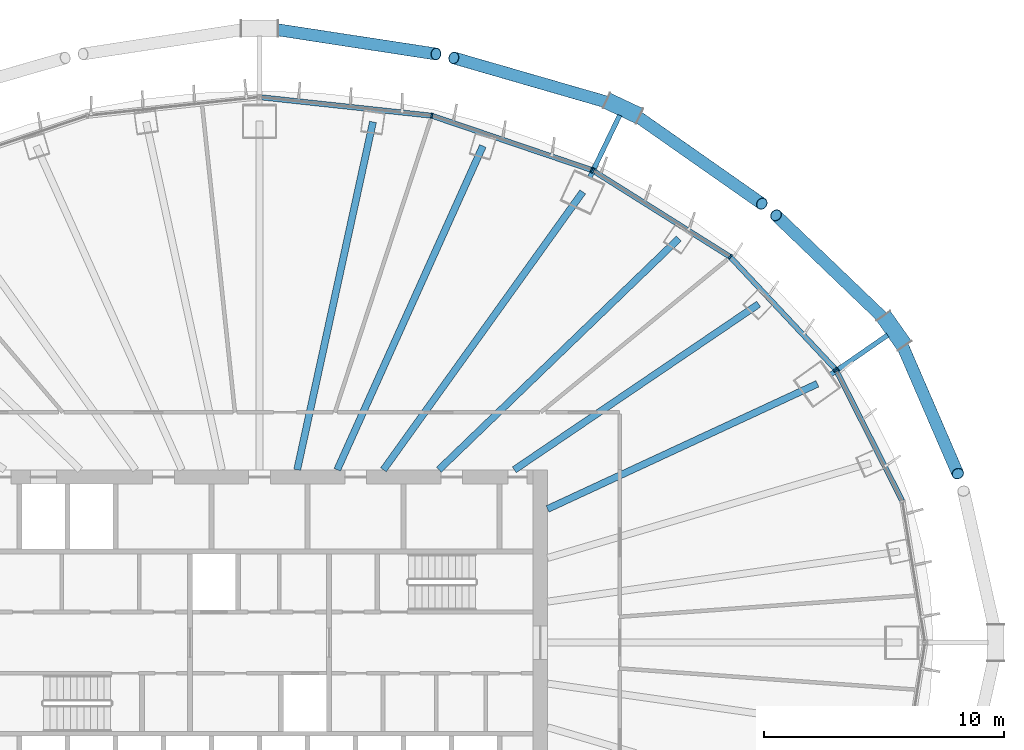
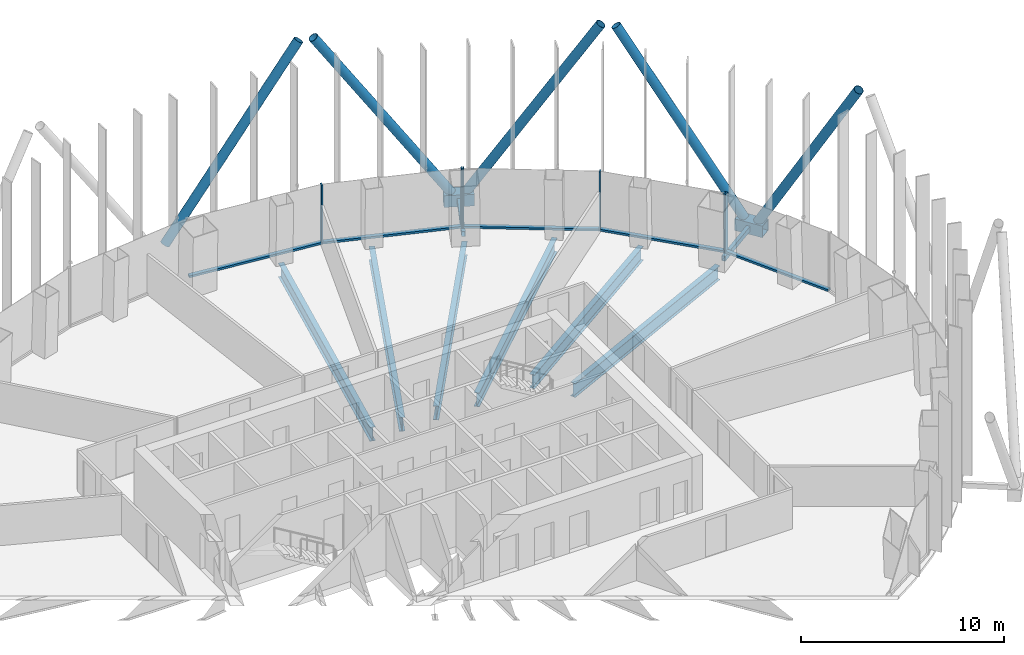
# One storey, part 6 of 22: 20 members, 6 beams, 3 elements without a shape of their own.
"""IFC4 building model written with IfcOpenShell, lengths in metres."""

from ifc_helpers import new_model, si_unit, direction, frame, origin, origin_2d, place, context, subcontext, project, spatial, rectangle, hollow_rectangle, hollow_circle, i_section, extrude, material, layer, layer_set, material_profile, profile_set, type_object, element, aggregate, save


model = new_model("IFC4")

# Units and contexts
model_context = context("Model", 3, precision=1e-05, world=origin(), true_north=direction((0.0, 1.0)))
body_context = subcontext(model_context, "Body", "Model", "MODEL_VIEW")
ifc_project = project(units=[si_unit("LENGTHUNIT", "METRE"), si_unit("AREAUNIT", "SQUARE_METRE"), si_unit("VOLUMEUNIT", "CUBIC_METRE"), si_unit("PLANEANGLEUNIT", "RADIAN"), si_unit("MASSUNIT", "GRAM", prefix="KILO")], contexts=[model_context])

# Site, building, storey
site_placement = place(None, origin())
site = spatial("IfcSite", under=ifc_project, at=site_placement, CompositionType="ELEMENT")
building_placement = place(site_placement, origin())
building = spatial("IfcBuilding", under=site, at=building_placement, Name="Siaravel Broadcast Tower", CompositionType="ELEMENT")
storey_placement = place(building_placement, frame((0.0, 0.0, 48.199951171875)))
storey = spatial("IfcBuildingStorey", under=building, at=storey_placement, Name="L10", CompositionType="ELEMENT", Elevation=48.199951171875)

# Beams
ifc_material_1 = material(Name="Steel S355", Category="steel")
ifc_material_profile_1 = material_profile(ifc_material_1, i_section(OverallWidth=0.291748046875, OverallDepth=0.8349609375, WebThickness=0.013916015625, FlangeThickness=0.018798828125, FilletRadius=0.017822265625, at=origin_2d()))
ifc_profile_set_1 = profile_set([ifc_material_profile_1], Name="Steel S355")
beam_type = type_object("IfcBeamType", Name="BM-UB 838x292x176", PredefinedType="BEAM", material=ifc_profile_set_1)
beam_1_placement = place(storey_placement, frame((23.240478515625, 10.7822265625, -0.5673828125), z_axis=(-0.907130681, -0.420849055, 0.0), x_axis=(0.420849055, -0.907130681, 0.0)))
element("IfcBeam", 1, at=beam_1_placement, inside=storey, type_object=beam_type, Name="Radial beam RB04", PredefinedType="BEAM", context=body_context, shape_type="SweptSolid", body=[
    extrude(i_section(OverallWidth=0.291748046875, OverallDepth=0.8349609375, WebThickness=0.013916015625, FlangeThickness=0.018798828125, FilletRadius=0.017822265625, at=origin_2d()), origin(), (0.0, 0.0, 1.0), 12.391357421875),
])
beam_2_placement = place(storey_placement, frame((20.7939453125, 14.103515625, -0.5673828125), z_axis=(-0.827598621, -0.561320338, 0.0), x_axis=(0.561320338, -0.827598621, 0.0)))
element("IfcBeam", 2, at=beam_2_placement, inside=storey, type_object=beam_type, Name="Radial beam RB05", PredefinedType="BEAM", context=body_context, shape_type="SweptSolid", body=[
    extrude(i_section(OverallWidth=0.291748046875, OverallDepth=0.8349609375, WebThickness=0.013916015625, FlangeThickness=0.018798828125, FilletRadius=0.017822265625, at=origin_2d()), origin(), (0.0, 0.0, 1.0), 12.298828125),
])
beam_3_placement = place(storey_placement, frame((17.4638671875, 16.8310546875, -0.5673828125), z_axis=(-0.720030107, -0.693942825, 0.0), x_axis=(0.693942825, -0.720030107, 0.0)))
element("IfcBeam", 3, at=beam_3_placement, inside=storey, type_object=beam_type, Name="Radial beam RB06", PredefinedType="BEAM", context=body_context, shape_type="SweptSolid", body=[
    extrude(i_section(OverallWidth=0.291748046875, OverallDepth=0.8349609375, WebThickness=0.013916015625, FlangeThickness=0.018798828125, FilletRadius=0.017822265625, at=origin_2d()), origin(), (0.0, 0.0, 1.0), 13.87890625),
])
beam_4_placement = place(storey_placement, frame((13.466796875, 18.77880859375, -0.5673828125), z_axis=(-0.582764, -0.812641446, 0.0), x_axis=(0.812641446, -0.582764, 0.0)))
element("IfcBeam", 4, at=beam_4_placement, inside=storey, type_object=beam_type, Name="Radial beam RB07", PredefinedType="BEAM", context=body_context, shape_type="SweptSolid", body=[
    extrude(i_section(OverallWidth=0.291748046875, OverallDepth=0.8349609375, WebThickness=0.013916015625, FlangeThickness=0.018798828125, FilletRadius=0.017822265625, at=origin_2d()), origin(), (0.0, 0.0, 1.0), 14.24853515625),
])
beam_5_placement = place(storey_placement, frame((9.304931640625, 20.6884765625, -0.5673828125), z_axis=(-0.410185528, -0.912002101, 0.0), x_axis=(0.912002101, -0.410185528, 0.0)))
element("IfcBeam", 5, at=beam_5_placement, inside=storey, type_object=beam_type, Name="Radial beam RB08", PredefinedType="BEAM", context=body_context, shape_type="SweptSolid", body=[
    extrude(i_section(OverallWidth=0.291748046875, OverallDepth=0.8349609375, WebThickness=0.013916015625, FlangeThickness=0.018798828125, FilletRadius=0.017822265625, at=origin_2d()), origin(), (0.0, 0.0, 1.0), 14.7900390625),
])
beam_6_placement = place(storey_placement, frame((4.725830078125, 21.693359375, -0.5673828125), z_axis=(-0.21284713, -0.977085513, 0.0), x_axis=(0.977085513, -0.21284713, 0.0)))
element("IfcBeam", 6, at=beam_6_placement, inside=storey, type_object=beam_type, Name="Radial beam RB09", PredefinedType="BEAM", context=body_context, shape_type="SweptSolid", body=[
    extrude(i_section(OverallWidth=0.291748046875, OverallDepth=0.8349609375, WebThickness=0.013916015625, FlangeThickness=0.018798828125, FilletRadius=0.017822265625, at=origin_2d()), origin(), (0.0, 0.0, 1.0), 14.833251953125),
])

# Curtain wall, member
ifc_material_2 = material(Name="Aluminium 6063-T6", Category="aluminium")
ifc_layer = layer(ifc_material_2, 0.219970703125)
ifc_layer_set = layer_set([ifc_layer], Name="Aluminium 6063-T6")
curtain_wall_type = type_object("IfcCurtainWallType", Name="Unitised curtain wall, zone 1", PredefinedType="NOTDEFINED", material=ifc_layer_set)
curtain_wall_1_placement = place(storey_placement, origin())
curtain_wall_1 = element("IfcCurtainWall", 7, at=curtain_wall_1_placement, inside=storey, type_object=curtain_wall_type, Name="L10 Unitised curtain wall, zone 1 01", PredefinedType="NOTDEFINED")
ifc_material_profile_2 = material_profile(ifc_material_2, rectangle(XDim=0.219970703125, YDim=0.070068359375, at=origin_2d()))
ifc_profile_set_2 = profile_set([ifc_material_profile_2], Name="Aluminium 6063-T6")
member_type_1 = type_object("IfcMemberType", Name="CW-Z1 mullion", PredefinedType="MULLION", material=ifc_profile_set_2)
member_1_placement = place(storey_placement, frame((24.02978515625, 11.3349609375, 0.0), z_axis=(0.0, 0.0, 1.0), x_axis=(-0.892391886, -0.451261257, 0.0)))
member_1 = element("IfcMember", 8, at=member_1_placement, type_object=member_type_1, Name="CW-Z1 mullion 3", PredefinedType="MULLION", context=body_context, shape_type="SweptSolid", body=[
    extrude(rectangle(XDim=0.219970703125, YDim=0.070068359375, at=origin_2d()), origin(), (0.0, 0.0, 1.0), 3.550048828125),
])

# Curtain wall, members
curtain_wall_2_placement = place(storey_placement, origin())
curtain_wall_2 = element("IfcCurtainWall", 9, at=curtain_wall_2_placement, inside=storey, type_object=curtain_wall_type, Name="L10 Unitised curtain wall, zone 1 02", PredefinedType="NOTDEFINED")
member_2_placement = place(storey_placement, frame((23.990234375, 11.3916015625, 0.0), z_axis=(0.0, 0.0, 1.0), x_axis=(-0.729805061, -0.683655302, 0.0)))
member_2 = element("IfcMember", 10, at=member_2_placement, type_object=member_type_1, Name="CW-Z1 mullion 1", PredefinedType="MULLION", context=body_context, shape_type="SweptSolid", body=[
    extrude(rectangle(XDim=0.219970703125, YDim=0.070068359375, at=origin_2d()), origin(), (0.0, 0.0, 1.0), 3.550048828125),
])
member_3_placement = place(storey_placement, frame((19.605712890625, 16.072021484375, 0.0), z_axis=(0.0, 0.0, 1.0), x_axis=(-0.636218527, -0.771508902, 0.0)))
member_3 = element("IfcMember", 11, at=member_3_placement, type_object=member_type_1, Name="CW-Z1 mullion 2", PredefinedType="MULLION", context=body_context, shape_type="SweptSolid", body=[
    extrude(rectangle(XDim=0.219970703125, YDim=0.070068359375, at=origin_2d()), origin(), (0.0, 0.0, 1.0), 3.550048828125),
])
member_4_placement = place(storey_placement, frame((13.89208984375, 19.663330078125, 0.0), z_axis=(0.0, 0.0, 1.0), x_axis=(-0.532149214, -0.846650586, 0.0)))
member_4 = element("IfcMember", 12, at=member_4_placement, type_object=member_type_1, Name="CW-Z1 mullion 3", PredefinedType="MULLION", context=body_context, shape_type="SweptSolid", body=[
    extrude(rectangle(XDim=0.219970703125, YDim=0.070068359375, at=origin_2d()), origin(), (0.0, 0.0, 1.0), 3.550048828125),
])

curtain_wall_3_placement = place(storey_placement, origin())
curtain_wall_3 = element("IfcCurtainWall", 13, at=curtain_wall_3_placement, inside=storey, type_object=curtain_wall_type, Name="L10 Unitised curtain wall, zone 1 03", PredefinedType="NOTDEFINED")
member_5_placement = place(storey_placement, frame((13.8291015625, 19.693115234375, 0.0), z_axis=(0.0, 0.0, 1.0), x_axis=(-0.321300709, -0.94697722, 0.0)))
member_5 = element("IfcMember", 14, at=member_5_placement, type_object=member_type_1, Name="CW-Z1 mullion 1", PredefinedType="MULLION", context=body_context, shape_type="SweptSolid", body=[
    extrude(rectangle(XDim=0.219970703125, YDim=0.070068359375, at=origin_2d()), origin(), (0.0, 0.0, 1.0), 3.550048828125),
])
member_6_placement = place(storey_placement, frame((7.17529296875, 21.95068359375, 0.0), z_axis=(0.0, 0.0, 1.0), x_axis=(-0.215558136, -0.976491009, 0.0)))
member_6 = element("IfcMember", 15, at=member_6_placement, type_object=member_type_1, Name="CW-Z1 mullion 2", PredefinedType="MULLION", context=body_context, shape_type="SweptSolid", body=[
    extrude(rectangle(XDim=0.219970703125, YDim=0.070068359375, at=origin_2d()), origin(), (0.0, 0.0, 1.0), 3.550048828125),
])

# Member
ifc_material_profile_3 = material_profile(ifc_material_2, rectangle(XDim=0.219970703125, YDim=0.1201171875, at=origin_2d()))
ifc_profile_set_3 = profile_set([ifc_material_profile_3], Name="Aluminium 6063-T6")
member_type_2 = type_object("IfcMemberType", Name="CW-Z1 transom", PredefinedType="USERDEFINED", material=ifc_profile_set_3)
member_7_placement = place(storey_placement, frame((26.7705078125, 5.915283203125, 0.06005859375), z_axis=(-0.451268424, 0.892388262, 0.0), x_axis=(-0.892388262, -0.451268424, 0.0)))
member_7 = element("IfcMember", 16, at=member_7_placement, type_object=member_type_2, Name="CW-Z1 transom 2", ObjectType="TRANSOM", PredefinedType="USERDEFINED", context=body_context, shape_type="SweptSolid", body=[
    extrude(rectangle(XDim=0.219970703125, YDim=0.1201171875, at=origin_2d()), origin(), (0.0, 0.0, 1.0), 6.038330078125),
])

aggregate(curtain_wall_1, [member_1, member_7])

member_8_placement = place(storey_placement, frame((23.96630859375, 11.417236328125, 0.06005859375), z_axis=(-0.683676063, 0.729785613, 0.0), x_axis=(-0.729785613, -0.683676063, 0.0)))
member_8 = element("IfcMember", 17, at=member_8_placement, type_object=member_type_2, Name="CW-Z1 transom 1", ObjectType="TRANSOM", PredefinedType="USERDEFINED", context=body_context, shape_type="SweptSolid", body=[
    extrude(rectangle(XDim=0.219970703125, YDim=0.1201171875, at=origin_2d()), origin(), (0.0, 0.0, 1.0), 6.34326171875),
])

member_9_placement = place(storey_placement, frame((19.576171875, 16.0908203125, 0.06005859375), z_axis=(-0.846658666, 0.532136358, 0.0), x_axis=(-0.532136358, -0.846658666, 0.0)))
member_9 = element("IfcMember", 18, at=member_9_placement, type_object=member_type_2, Name="CW-Z1 transom 2", ObjectType="TRANSOM", PredefinedType="USERDEFINED", context=body_context, shape_type="SweptSolid", body=[
    extrude(rectangle(XDim=0.219970703125, YDim=0.1201171875, at=origin_2d()), origin(), (0.0, 0.0, 1.0), 6.6787109375),
])

aggregate(curtain_wall_2, [member_2, member_3, member_4, member_8, member_9])

member_10_placement = place(storey_placement, frame((13.7958984375, 19.70458984375, 0.06005859375), z_axis=(-0.946974505, 0.321308709, 0.0), x_axis=(-0.321308709, -0.946974505, 0.0)))
member_10 = element("IfcMember", 19, at=member_10_placement, type_object=member_type_2, Name="CW-Z1 transom 1", ObjectType="TRANSOM", PredefinedType="USERDEFINED", context=body_context, shape_type="SweptSolid", body=[
    extrude(rectangle(XDim=0.219970703125, YDim=0.1201171875, at=origin_2d()), origin(), (0.0, 0.0, 1.0), 6.956298828125),
])

member_11_placement = place(storey_placement, frame((7.140380859375, 21.95458984375, 0.06005859375), z_axis=(-0.994236456, 0.107209463, 0.0), x_axis=(-0.107209463, -0.994236456, 0.0)))
member_11 = element("IfcMember", 20, at=member_11_placement, type_object=member_type_2, Name="CW-Z1 transom 2", ObjectType="TRANSOM", PredefinedType="USERDEFINED", context=body_context, shape_type="SweptSolid", body=[
    extrude(rectangle(XDim=0.219970703125, YDim=0.1201171875, at=origin_2d()), origin(), (0.0, 0.0, 1.0), 7.11181640625),
])

aggregate(curtain_wall_3, [member_5, member_6, member_10, member_11])

# Members
ifc_material_3 = material(Name="Steel S460", Category="steel")
ifc_material_profile_4 = material_profile(ifc_material_3, hollow_circle(Radius=0.25390625, WallThickness=0.02001953125, at=origin_2d()))
ifc_profile_set_4 = profile_set([ifc_material_profile_4], Name="Steel S460")
member_type_3 = type_object("IfcMemberType", Name="Diagrid diagonal CHS 508x20", PredefinedType="BRACE", material=ifc_profile_set_4)
member_12_placement = place(storey_placement, frame((26.649658203125, 12.6826171875, 0.1201171875), z_axis=(0.201259245, -0.465212063, 0.862016504), x_axis=(0.917794883, 0.397054849, 0.0)))
element("IfcMember", 21, at=member_12_placement, inside=storey, type_object=member_type_3, Name="Diagrid diagonal R05 station 06C", PredefinedType="BRACE", context=body_context, shape_type="SweptSolid", body=[
    extrude(hollow_circle(Radius=0.25390625, WallThickness=0.02001953125, at=origin_2d()), origin(), (0.0, 0.0, 1.0), 12.13427734375),
])
member_13_placement = place(storey_placement, frame((26.21240234375, 13.302734375, 0.1201171875), z_axis=(-0.381326995, 0.365431764, 0.849146247), x_axis=(-0.691898843, -0.721994454, 0.0)))
element("IfcMember", 22, at=member_13_placement, inside=storey, type_object=member_type_3, Name="Diagrid diagonal R05 station 06A", PredefinedType="BRACE", context=body_context, shape_type="SweptSolid", body=[
    extrude(hollow_circle(Radius=0.25390625, WallThickness=0.02001953125, at=origin_2d()), origin(), (0.0, 0.0, 1.0), 12.318115234375),
])
member_14_placement = place(storey_placement, frame((15.487548828125, 22.097412109375, 0.1201171875), z_axis=(0.439055181, -0.307657811, 0.844142891), x_axis=(0.573861847, 0.818952123, 0.0)))
element("IfcMember", 23, at=member_14_placement, inside=storey, type_object=member_type_3, Name="Diagrid diagonal R05 station 12C", PredefinedType="BRACE", context=body_context, shape_type="SweptSolid", body=[
    extrude(hollow_circle(Radius=0.25390625, WallThickness=0.02001953125, at=origin_2d()), origin(), (0.0, 0.0, 1.0), 12.39111328125),
])
member_15_placement = place(storey_placement, frame((14.801513671875, 22.421875, 0.1201171875), z_axis=(-0.533437744, 0.154110708, 0.831681467), x_axis=(-0.277550409, -0.960711076, 0.0)))
element("IfcMember", 24, at=member_15_placement, inside=storey, type_object=member_type_3, Name="Diagrid diagonal R05 station 12A", PredefinedType="BRACE", context=body_context, shape_type="SweptSolid", body=[
    extrude(hollow_circle(Radius=0.25390625, WallThickness=0.02001953125, at=origin_2d()), origin(), (0.0, 0.0, 1.0), 12.576904296875),
])
member_16_placement = place(storey_placement, frame((0.37939453125, 25.58935546875, 0.1201171875), z_axis=(0.552638055, -0.084549346, 0.829121576), x_axis=(0.151232576, 0.988498208, 0.0)))
element("IfcMember", 25, at=member_16_placement, inside=storey, type_object=member_type_3, Name="Diagrid diagonal R05 station 18C", PredefinedType="BRACE", context=body_context, shape_type="SweptSolid", body=[
    extrude(hollow_circle(Radius=0.25390625, WallThickness=0.02001953125, at=origin_2d()), origin(), (0.0, 0.0, 1.0), 12.61572265625),
])
ifc_material_profile_5 = material_profile(ifc_material_3, hollow_rectangle(XDim=0.699951171875, YDim=0.699951171875, WallThickness=0.0400390625, at=origin_2d()))
ifc_profile_set_5 = profile_set([ifc_material_profile_5], Name="Steel S460")
member_type_4 = type_object("IfcMemberType", Name="Diagrid node BOX 700x700x40", PredefinedType="USERDEFINED", material=ifc_profile_set_5)
member_17_placement = place(storey_placement, frame((26.864990234375, 12.376708984375, -0.199951171875), z_axis=(-0.576015054, 0.817439085, 0.0), x_axis=(-0.817439085, -0.576015054, 0.0)))
element("IfcMember", 26, at=member_17_placement, inside=storey, type_object=member_type_4, Name="Diagrid node R05 station 06", ObjectType="DIAGRID NODE", PredefinedType="USERDEFINED", context=body_context, shape_type="SweptSolid", body=[
    extrude(hollow_rectangle(XDim=0.699951171875, YDim=0.699951171875, WallThickness=0.0400390625, at=origin_2d()), origin(), (0.0, 0.0, 1.0), 1.5068359375),
])
member_18_placement = place(storey_placement, frame((15.82568359375, 21.9375, -0.199951171875), z_axis=(-0.903998275, 0.427536102, 0.0), x_axis=(-0.427536102, -0.903998275, 0.0)))
element("IfcMember", 27, at=member_18_placement, inside=storey, type_object=member_type_4, Name="Diagrid node R05 station 12", ObjectType="DIAGRID NODE", PredefinedType="USERDEFINED", context=body_context, shape_type="SweptSolid", body=[
    extrude(hollow_rectangle(XDim=0.699951171875, YDim=0.699951171875, WallThickness=0.0400390625, at=origin_2d()), origin(), (0.0, 0.0, 1.0), 1.507080078125),
])
ifc_material_profile_6 = material_profile(ifc_material_3, hollow_rectangle(XDim=0.199951171875, YDim=0.300048828125, WallThickness=0.012451171875, at=origin_2d()))
ifc_profile_set_6 = profile_set([ifc_material_profile_6], Name="Steel S460")
member_type_5 = type_object("IfcMemberType", Name="Diagrid node arm RHS 300x200x12.5", PredefinedType="STRUT", material=ifc_profile_set_6)
member_19_placement = place(storey_placement, frame((23.791259765625, 11.163818359375, -0.199951171875), z_axis=(0.822046263, 0.569420707, 0.0), x_axis=(-0.569420707, 0.822046263, 0.0)))
element("IfcMember", 28, at=member_19_placement, inside=storey, type_object=member_type_5, Name="Node arm R05 station 06", PredefinedType="STRUT", context=body_context, shape_type="SweptSolid", body=[
    extrude(hollow_rectangle(XDim=0.199951171875, YDim=0.300048828125, WallThickness=0.012451171875, at=origin_2d()), origin(), (0.0, 0.0, 1.0), 2.8916015625),
])
member_20_placement = place(storey_placement, frame((13.757568359375, 19.382080078125, -0.199951171875), z_axis=(0.434188426, 0.900822075, 0.0), x_axis=(-0.900822075, 0.434188426, 0.0)))
element("IfcMember", 29, at=member_20_placement, inside=storey, type_object=member_type_5, Name="Node arm R05 station 12", PredefinedType="STRUT", context=body_context, shape_type="SweptSolid", body=[
    extrude(hollow_rectangle(XDim=0.199951171875, YDim=0.300048828125, WallThickness=0.012451171875, at=origin_2d()), origin(), (0.0, 0.0, 1.0), 2.87451171875),
])

save(model, "model.ifc")
